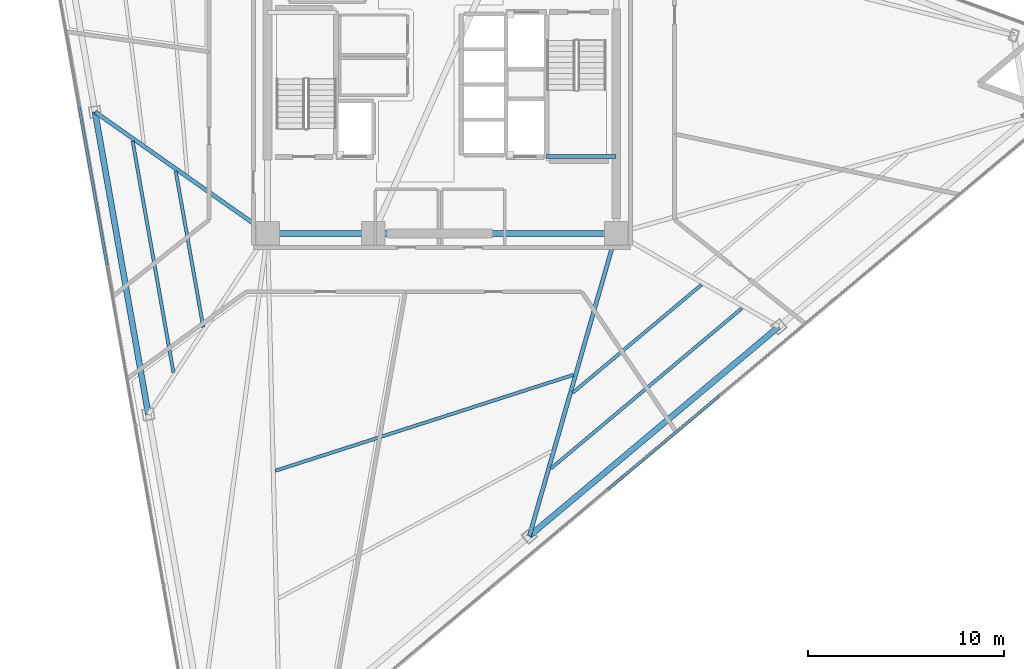
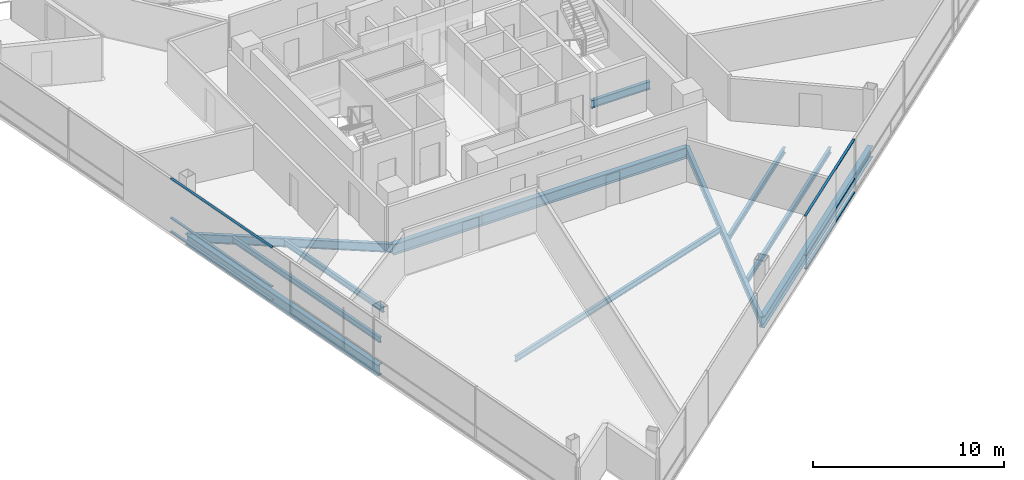
# One storey, part 3 of 16: 12 beams, 6 members, 2 elements without a shape of their own.
"""IFC4 building model written with IfcOpenShell, lengths in metres."""

from ifc_helpers import new_model, si_unit, direction, frame, origin, origin_2d, place, context, subcontext, project, spatial, rectangle, i_section, extrude, material, layer, layer_set, material_profile, profile_set, type_object, element, aggregate, save


model = new_model("IFC4")

# Units and contexts
model_context = context("Model", 3, precision=1e-05, world=origin(), true_north=direction((0.0, 1.0)))
body_context = subcontext(model_context, "Body", "Model", "MODEL_VIEW")
ifc_project = project(units=[si_unit("LENGTHUNIT", "METRE"), si_unit("AREAUNIT", "SQUARE_METRE"), si_unit("VOLUMEUNIT", "CUBIC_METRE"), si_unit("PLANEANGLEUNIT", "RADIAN"), si_unit("MASSUNIT", "GRAM", prefix="KILO")], contexts=[model_context])

# Site, building, storey
site_placement = place(None, origin())
site = spatial("IfcSite", under=ifc_project, at=site_placement, CompositionType="ELEMENT")
building_placement = place(site_placement, origin())
building = spatial("IfcBuilding", under=site, at=building_placement, Name="Tharavind Bronze Gate", CompositionType="ELEMENT")
storey_placement = place(building_placement, frame((0.0, 0.0, 181.300048828125)))
storey = spatial("IfcBuildingStorey", under=building, at=storey_placement, Name="L46", CompositionType="ELEMENT", Elevation=181.300048828125)

# Curtain wall, members
ifc_material_1 = material(Name="Anodised Bronze Aluminium", Category="aluminium")
ifc_layer = layer(ifc_material_1, 0.219970703125)
ifc_layer_set = layer_set([ifc_layer], Name="Anodised Bronze Aluminium")
curtain_wall_type = type_object("IfcCurtainWallType", Name="UNITISED CURTAIN WALL MID OFFICE", PredefinedType="USERDEFINED", material=ifc_layer_set)
curtain_wall_1_placement = place(storey_placement, origin())
curtain_wall_1 = element("IfcCurtainWall", 1, at=curtain_wall_1_placement, inside=storey, type_object=curtain_wall_type, Name="L46 unitised curtain wall mid office CW-L46-S1", ObjectType="UNITISED CURTAIN WALL", PredefinedType="USERDEFINED")
member_type = type_object("IfcMemberType", Name="CURTAIN WALL BRONZE TRANSOM 65X140", PredefinedType="USERDEFINED", material=ifc_material_1)
member_1_placement = place(storey_placement, frame((-17.80517578125, -5.177001953125, 0.0), z_axis=(0.0, 0.0, 1.0), x_axis=(0.173648177667, -0.984807753012, 0.0)))
member_1 = element("IfcMember", 2, at=member_1_placement, type_object=member_type, Name="CW-L46-S1 transom TB3", ObjectType="TRANSOM", PredefinedType="USERDEFINED", context=body_context, shape_type="SweptSolid", body=[
    extrude(rectangle(XDim=8.220458984375, YDim=0.139892578125, at=origin_2d()), origin(), (0.0, 0.0, 1.0), 0.06494140625),
])
member_2_placement = place(storey_placement, frame((-17.80517578125, -5.177001953125, 0.867431640625), z_axis=(0.0, 0.0, 1.0), x_axis=(0.173648177667, -0.984807753012, 0.0)))
member_2 = element("IfcMember", 3, at=member_2_placement, type_object=member_type, Name="CW-L46-S1 transom TS3", ObjectType="TRANSOM", PredefinedType="USERDEFINED", context=body_context, shape_type="SweptSolid", body=[
    extrude(rectangle(XDim=8.220458984375, YDim=0.139892578125, at=origin_2d()), origin(), (0.0, 0.0, 1.0), 0.06494140625),
])
member_3_placement = place(storey_placement, frame((-17.80517578125, -5.177001953125, 3.35498046875), z_axis=(0.0, 0.0, 1.0), x_axis=(0.173648177667, -0.984807753012, 0.0)))
member_3 = element("IfcMember", 4, at=member_3_placement, type_object=member_type, Name="CW-L46-S1 transom TT3", ObjectType="TRANSOM", PredefinedType="USERDEFINED", context=body_context, shape_type="SweptSolid", body=[
    extrude(rectangle(XDim=8.220458984375, YDim=0.139892578125, at=origin_2d()), origin(), (0.0, 0.0, 1.0), 0.06494140625),
])
aggregate(curtain_wall_1, [member_1, member_2, member_3])

curtain_wall_2_placement = place(storey_placement, origin())
curtain_wall_2 = element("IfcCurtainWall", 5, at=curtain_wall_2_placement, inside=storey, type_object=curtain_wall_type, Name="L46 unitised curtain wall mid office CW-L46-S2", ObjectType="UNITISED CURTAIN WALL", PredefinedType="USERDEFINED")
member_4_placement = place(storey_placement, frame((11.31298828125, -18.282470703125, 0.0), z_axis=(0.0, 0.0, 1.0), x_axis=(0.766043321242, 0.642788946685, 0.0)))
member_4 = element("IfcMember", 6, at=member_4_placement, type_object=member_type, Name="CW-L46-S2 transom TB4", ObjectType="TRANSOM", PredefinedType="USERDEFINED", context=body_context, shape_type="SweptSolid", body=[
    extrude(rectangle(XDim=7.443115234375, YDim=0.139892578125, at=origin_2d()), origin(), (0.0, 0.0, 1.0), 0.06494140625),
])
member_5_placement = place(storey_placement, frame((11.31298828125, -18.282470703125, 0.867431640625), z_axis=(0.0, 0.0, 1.0), x_axis=(0.766043321242, 0.642788946685, 0.0)))
member_5 = element("IfcMember", 7, at=member_5_placement, type_object=member_type, Name="CW-L46-S2 transom TS4", ObjectType="TRANSOM", PredefinedType="USERDEFINED", context=body_context, shape_type="SweptSolid", body=[
    extrude(rectangle(XDim=7.443115234375, YDim=0.139892578125, at=origin_2d()), origin(), (0.0, 0.0, 1.0), 0.06494140625),
])
member_6_placement = place(storey_placement, frame((11.31298828125, -18.282470703125, 3.35498046875), z_axis=(0.0, 0.0, 1.0), x_axis=(0.766043321242, 0.642788946685, 0.0)))
member_6 = element("IfcMember", 8, at=member_6_placement, type_object=member_type, Name="CW-L46-S2 transom TT4", ObjectType="TRANSOM", PredefinedType="USERDEFINED", context=body_context, shape_type="SweptSolid", body=[
    extrude(rectangle(XDim=7.443115234375, YDim=0.139892578125, at=origin_2d()), origin(), (0.0, 0.0, 1.0), 0.06494140625),
])
aggregate(curtain_wall_2, [member_4, member_5, member_6])

# Beams
ifc_material_2 = material(Name="Steel S355", Category="steel")
ifc_material_profile_1 = material_profile(ifc_material_2, i_section(OverallWidth=0.199951171875, OverallDepth=0.5, WebThickness=0.01025390625, FlangeThickness=0.01611328125, at=origin_2d()), Name="IPE500")
ifc_profile_set_1 = profile_set([ifc_material_profile_1], Name="Steel S355")
beam_type_1 = type_object("IfcBeamType", Name="PRIMARY GIRDER IPE500", PredefinedType="USERDEFINED", material=ifc_profile_set_1)
beam_1_placement = place(storey_placement, frame((5.35009765625, -3.679931640625, 1.349853515625), z_axis=(1.0, 0.0, 0.0), x_axis=(0.0, 1.0, 0.0)))
element("IfcBeam", 9, at=beam_1_placement, inside=storey, type_object=beam_type_1, Name="L46 primary girder ipe500 BM-LD-ST2-L46-1", ObjectType="GIRDER", PredefinedType="USERDEFINED", context=body_context, shape_type="SweptSolid", body=[
    extrude(i_section(OverallWidth=0.199951171875, OverallDepth=0.5, WebThickness=0.01025390625, FlangeThickness=0.01611328125, at=origin_2d()), origin(), (0.0, 0.0, 1.0), 3.5498046875),
])
ifc_material_profile_2 = material_profile(ifc_material_2, i_section(OverallWidth=0.2099609375, OverallDepth=0.550048828125, WebThickness=0.010986328125, FlangeThickness=0.01708984375, at=origin_2d()), Name="IPE550")
ifc_profile_set_2 = profile_set([ifc_material_profile_2], Name="Steel S355")
beam_type_2 = type_object("IfcBeamType", Name="PRIMARY GIRDER IPE550", PredefinedType="USERDEFINED", material=ifc_profile_set_2)
beam_2_placement = place(storey_placement, frame((-17.709716796875, -1.3994140625, -0.455078125), z_axis=(0.817754667857, -0.575566940675, 0.0), x_axis=(0.575566940675, 0.817754667857, 0.0)))
element("IfcBeam", 10, at=beam_2_placement, inside=storey, type_object=beam_type_2, Name="L46 primary girder ipe550 BM-L46-RAD02", ObjectType="GIRDER", PredefinedType="USERDEFINED", context=body_context, shape_type="SweptSolid", body=[
    extrude(i_section(OverallWidth=0.2099609375, OverallDepth=0.550048828125, WebThickness=0.010986328125, FlangeThickness=0.01708984375, at=origin_2d()), origin(), (0.0, 0.0, 1.0), 10.773193359375),
])
beam_3_placement = place(storey_placement, frame((4.46337890625, -23.05078125, -0.455078125), z_axis=(0.275988621834, 0.961160902564, 0.0), x_axis=(-0.961160902564, 0.275988621834, 0.0)))
element("IfcBeam", 11, at=beam_3_placement, inside=storey, type_object=beam_type_2, Name="L46 primary girder ipe550 BM-L46-RAD06", ObjectType="GIRDER", PredefinedType="USERDEFINED", context=body_context, shape_type="SweptSolid", body=[
    extrude(i_section(OverallWidth=0.2099609375, OverallDepth=0.550048828125, WebThickness=0.010986328125, FlangeThickness=0.01708984375, at=origin_2d()), origin(), (0.0, 0.0, 1.0), 16.074951171875),
])
ifc_material_profile_3 = material_profile(ifc_material_2, i_section(OverallWidth=0.300048828125, OverallDepth=0.699951171875, WebThickness=0.01708984375, FlangeThickness=0.031982421875, at=origin_2d()), Name="HE700B")
ifc_profile_set_3 = profile_set([ifc_material_profile_3], Name="Steel S355")
beam_type_3 = type_object("IfcBeamType", Name="RING GIRDER HE700B", PredefinedType="USERDEFINED", material=ifc_profile_set_3)
beam_4_placement = place(storey_placement, frame((-8.89990234375, -7.60009765625, -0.530029296875), z_axis=(1.0, 0.0, 0.0), x_axis=(0.0, 1.0, 0.0)))
element("IfcBeam", 12, at=beam_4_placement, inside=storey, type_object=beam_type_3, Name="L46 ring girder he700b BM-L46-CR1", ObjectType="GIRDER", PredefinedType="USERDEFINED", context=body_context, shape_type="SweptSolid", body=[
    extrude(i_section(OverallWidth=0.300048828125, OverallDepth=0.699951171875, WebThickness=0.01708984375, FlangeThickness=0.031982421875, at=origin_2d()), origin(), (0.0, 0.0, 1.0), 5.39990234375),
])
beam_5_placement = place(storey_placement, frame((-3.5, -7.60009765625, -0.530029296875), z_axis=(1.0, 0.0, 0.0), x_axis=(0.0, 1.0, 0.0)))
element("IfcBeam", 13, at=beam_5_placement, inside=storey, type_object=beam_type_3, Name="L46 ring girder he700b BM-L46-CR2", ObjectType="GIRDER", PredefinedType="USERDEFINED", context=body_context, shape_type="SweptSolid", body=[
    extrude(i_section(OverallWidth=0.300048828125, OverallDepth=0.699951171875, WebThickness=0.01708984375, FlangeThickness=0.031982421875, at=origin_2d()), origin(), (0.0, 0.0, 1.0), 12.39990234375),
])
beam_6_placement = place(storey_placement, frame((-17.709716796875, -1.3994140625, -0.530029296875), z_axis=(0.173647661488, -0.984807844028, 0.0), x_axis=(0.984807844028, 0.173647661488, 0.0)))
element("IfcBeam", 14, at=beam_6_placement, inside=storey, type_object=beam_type_3, Name="L46 ring girder he700b BM-L46-PRG02", ObjectType="GIRDER", PredefinedType="USERDEFINED", context=body_context, shape_type="SweptSolid", body=[
    extrude(i_section(OverallWidth=0.300048828125, OverallDepth=0.699951171875, WebThickness=0.01708984375, FlangeThickness=0.031982421875, at=origin_2d()), origin(), (0.0, 0.0, 1.0), 15.6806640625),
])
beam_7_placement = place(storey_placement, frame((4.46337890625, -23.05078125, -0.530029296875), z_axis=(0.766044110924, 0.642788005581, 0.0), x_axis=(-0.642788005581, 0.766044110924, 0.0)))
element("IfcBeam", 15, at=beam_7_placement, inside=storey, type_object=beam_type_3, Name="L46 ring girder he700b BM-L46-PRG06", ObjectType="GIRDER", PredefinedType="USERDEFINED", context=body_context, shape_type="SweptSolid", body=[
    extrude(i_section(OverallWidth=0.300048828125, OverallDepth=0.699951171875, WebThickness=0.01708984375, FlangeThickness=0.031982421875, at=origin_2d()), origin(), (0.0, 0.0, 1.0), 16.62451171875),
])
ifc_material_profile_4 = material_profile(ifc_material_2, i_section(OverallWidth=0.169921875, OverallDepth=0.360107421875, WebThickness=0.008056640625, FlangeThickness=0.0126953125, at=origin_2d()), Name="IPE360")
ifc_profile_set_4 = profile_set([ifc_material_profile_4], Name="Steel S355")
beam_type_4 = type_object("IfcBeamType", Name="SECONDARY FLOOR JOIST IPE360", PredefinedType="JOIST", material=ifc_profile_set_4)
beam_8_placement = place(storey_placement, frame((-13.586669921875, -4.43310546875, -0.360107421875), z_axis=(0.173657771601, -0.984806061295, 0.0), x_axis=(0.984806061295, 0.173657771601, 0.0)))
element("IfcBeam", 16, at=beam_8_placement, inside=storey, type_object=beam_type_4, Name="L46 secondary floor joist ipe360 BM-L46-JSTA02", PredefinedType="JOIST", context=body_context, shape_type="SweptSolid", body=[
    extrude(i_section(OverallWidth=0.169921875, OverallDepth=0.360107421875, WebThickness=0.008056640625, FlangeThickness=0.0126953125, at=origin_2d()), origin(), (0.0, 0.0, 1.0), 8.07958984375),
])
beam_9_placement = place(storey_placement, frame((-15.7890625, -2.883056640625, -0.360107421875), z_axis=(0.173653015137, -0.984806900023, 0.0), x_axis=(0.984806900023, 0.173653015137, 0.0)))
element("IfcBeam", 17, at=beam_9_placement, inside=storey, type_object=beam_type_4, Name="L46 secondary floor joist ipe360 BM-L46-JSTB02", PredefinedType="JOIST", context=body_context, shape_type="SweptSolid", body=[
    extrude(i_section(OverallWidth=0.169921875, OverallDepth=0.360107421875, WebThickness=0.008056640625, FlangeThickness=0.0126953125, at=origin_2d()), origin(), (0.0, 0.0, 1.0), 11.99951171875),
])
beam_10_placement = place(storey_placement, frame((-8.5, -19.718994140625, -0.360107421875), z_axis=(0.951947780182, 0.306260385629, 0.0), x_axis=(-0.306260385629, 0.951947780182, 0.0)))
element("IfcBeam", 18, at=beam_10_placement, inside=storey, type_object=beam_type_4, Name="L46 secondary floor joist ipe360 BM-L46-JSTA05", PredefinedType="JOIST", context=body_context, shape_type="SweptSolid", body=[
    extrude(i_section(OverallWidth=0.169921875, OverallDepth=0.360107421875, WebThickness=0.008056640625, FlangeThickness=0.0126953125, at=origin_2d()), origin(), (0.0, 0.0, 1.0), 15.980712890625),
])
beam_11_placement = place(storey_placement, frame((6.67333984375, -15.742919921875, -0.360107421875), z_axis=(0.766044754816, 0.64278723822, 0.0), x_axis=(-0.64278723822, 0.766044754816, 0.0)))
element("IfcBeam", 19, at=beam_11_placement, inside=storey, type_object=beam_type_4, Name="L46 secondary floor joist ipe360 BM-L46-JSTA06", PredefinedType="JOIST", context=body_context, shape_type="SweptSolid", body=[
    extrude(i_section(OverallWidth=0.169921875, OverallDepth=0.360107421875, WebThickness=0.008056640625, FlangeThickness=0.0126953125, at=origin_2d()), origin(), (0.0, 0.0, 1.0), 8.58642578125),
])
beam_12_placement = place(storey_placement, frame((5.564208984375, -19.605712890625, -0.360107421875), z_axis=(0.766041806797, 0.64279075152, 0.0), x_axis=(-0.64279075152, 0.766041806797, 0.0)))
element("IfcBeam", 20, at=beam_12_placement, inside=storey, type_object=beam_type_4, Name="L46 secondary floor joist ipe360 BM-L46-JSTB06", PredefinedType="JOIST", context=body_context, shape_type="SweptSolid", body=[
    extrude(i_section(OverallWidth=0.169921875, OverallDepth=0.360107421875, WebThickness=0.008056640625, FlangeThickness=0.0126953125, at=origin_2d()), origin(), (0.0, 0.0, 1.0), 12.74267578125),
])

save(model, "model.ifc")
